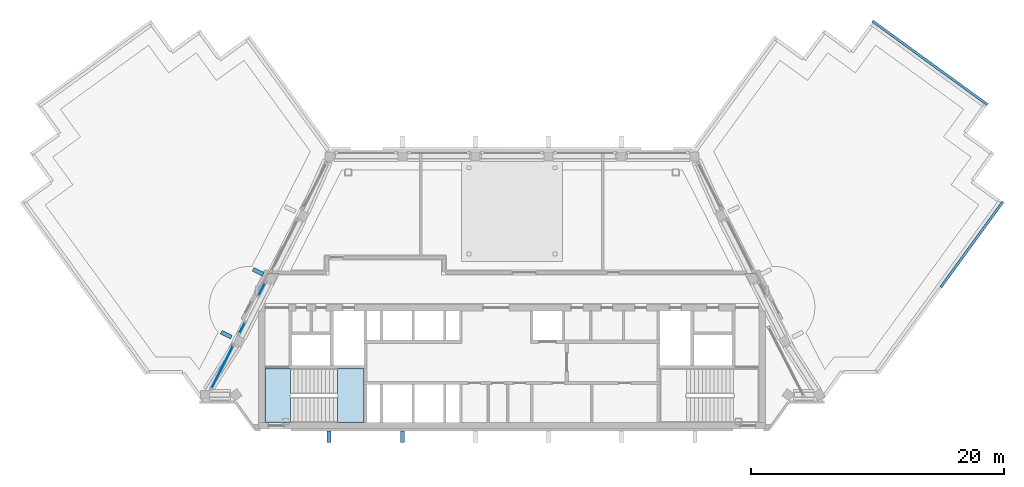
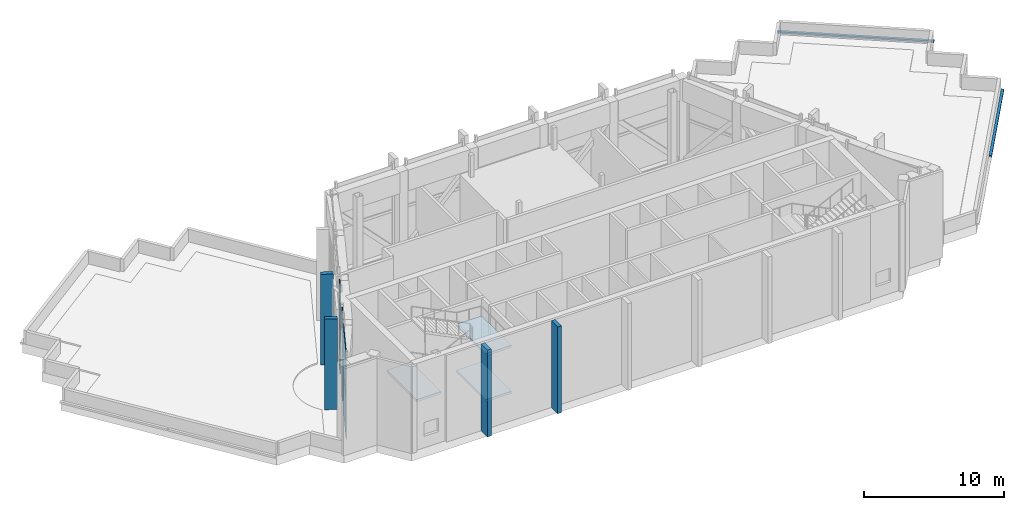
"""IFC4 building model written with IfcOpenShell, lengths in metres."""

from ifc_helpers import new_model, si_unit, direction, frame, origin, origin_2d, place, context, subcontext, project, spatial, polyline, rectangle, outline, extrude, material, layer, layer_set, material_profile, profile_set, type_object, element, aggregate, save


model = new_model("IFC4")

# Units and contexts
model_context = context("Model", 3, precision=1e-05, world=origin(), true_north=direction((0.0, 1.0)))
body_context = subcontext(model_context, "Body", "Model", "MODEL_VIEW")
ifc_project = project(units=[si_unit("LENGTHUNIT", "METRE"), si_unit("AREAUNIT", "SQUARE_METRE"), si_unit("VOLUMEUNIT", "CUBIC_METRE"), si_unit("PLANEANGLEUNIT", "RADIAN"), si_unit("MASSUNIT", "GRAM", prefix="KILO")], contexts=[model_context])

# Site, building, storey
site_placement = place(None, origin())
site = spatial("IfcSite", under=ifc_project, at=site_placement, CompositionType="ELEMENT")
building_placement = place(site_placement, origin())
building = spatial("IfcBuilding", under=site, at=building_placement, Name="Quipu Civic Tower", CompositionType="ELEMENT")
storey_1_placement = place(building_placement, frame((0.0, 0.0, 347.0)))
storey_1 = spatial("IfcBuildingStorey", under=building, at=storey_1_placement, Name="L81", CompositionType="ELEMENT", Elevation=347.0)

# Curtain wall
ifc_material_1 = material(Name="Insulated glass unit", Category="glass")
curtain_wall_type_1 = type_object("IfcCurtainWallType", Name="Office curtain wall CW1", PredefinedType="NOTDEFINED", material=ifc_material_1)
curtain_wall_1_placement = place(storey_1_placement, origin())
curtain_wall_1 = element("IfcCurtainWall", 1, at=curtain_wall_1_placement, inside=storey_1, type_object=curtain_wall_type_1, Name="Office curtain wall CW1 L80 run 21", PredefinedType="NOTDEFINED")

# Storey
storey_2_placement = place(building_placement, frame((0.0, 0.0, 355.0)))
storey_2 = spatial("IfcBuildingStorey", under=building, at=storey_2_placement, Name="L83", CompositionType="ELEMENT", Elevation=355.0)

# Member
ifc_material_2 = material(Name="Anodised aluminium", Category="aluminium")
ifc_material_profile = material_profile(ifc_material_2, rectangle(XDim=0.199951171875, YDim=0.159912109375, at=origin_2d()), Name="RECT 200x160")
ifc_profile_set = profile_set([ifc_material_profile], Name="Anodised aluminium")
member_type = type_object("IfcMemberType", Name="Transom CW1", PredefinedType="USERDEFINED", material=ifc_profile_set)
member_1_placement = place(storey_2_placement, frame((37.536865234375, 14.575927734375, 0.0), z_axis=(-0.809022463805, 0.587777724194, 0.0), x_axis=(-0.587777724194, -0.809022463805, 0.0)))
member_1 = element("IfcMember", 2, at=member_1_placement, inside=storey_2, type_object=member_type, Name="CW1 transom 1.4", ObjectType="TRANSOM", PredefinedType="USERDEFINED", context=body_context, shape_type="SweptSolid", body=[
    extrude(rectangle(XDim=0.199951171875, YDim=0.159912109375, at=origin_2d()), origin(), (0.0, 0.0, 1.0), 11.240234375),
])

aggregate(curtain_wall_1, [member_1])

# Storey
storey_3_placement = place(building_placement, frame((0.0, 0.0, 351.0)))
storey_3 = spatial("IfcBuildingStorey", under=building, at=storey_3_placement, Name="L82", CompositionType="ELEMENT", Elevation=351.0)

# Curtain wall, member
curtain_wall_2_placement = place(storey_3_placement, origin())
curtain_wall_2 = element("IfcCurtainWall", 3, at=curtain_wall_2_placement, inside=storey_3, type_object=curtain_wall_type_1, Name="Office curtain wall CW1 L81 run 4", PredefinedType="NOTDEFINED")
member_2_placement = place(storey_2_placement, frame((33.83642578125, 0.15966796875, 0.0), z_axis=(0.587779098815, 0.809021465102, 0.0), x_axis=(-0.809021465102, 0.587779098815, 0.0)))
member_2 = element("IfcMember", 4, at=member_2_placement, inside=storey_2, type_object=member_type, Name="CW1 transom 2.3", ObjectType="TRANSOM", PredefinedType="USERDEFINED", context=body_context, shape_type="SweptSolid", body=[
    extrude(rectangle(XDim=0.199951171875, YDim=0.159912109375, at=origin_2d()), origin(), (0.0, 0.0, 1.0), 8.35791015625),
])
aggregate(curtain_wall_2, [member_2])

# Curtain wall, plates
ifc_material_3 = material(Name="Insulated glass unit", Category="glass")
curtain_wall_type_2 = type_object("IfcCurtainWallType", Name="Damper hall glazing CW7", PredefinedType="NOTDEFINED", material=ifc_material_3)
curtain_wall_3_placement = place(storey_2_placement, origin())
curtain_wall_3 = element("IfcCurtainWall", 5, at=curtain_wall_3_placement, inside=storey_2, type_object=curtain_wall_type_2, Name="Damper hall glazing CW7 L83 run 1c", PredefinedType="NOTDEFINED")
ifc_material_4 = material(Name="Insulated glass unit", Category="glass")
ifc_layer_1 = layer(ifc_material_4, 0.052001953125)
ifc_layer_set_1 = layer_set([ifc_layer_1], Name="Insulated glass unit")
plate_type_1 = type_object("IfcPlateType", Name="Glass panel CW7", PredefinedType="CURTAIN_PANEL", material=ifc_layer_set_1)
plate_1_placement = place(storey_2_placement, frame((-19.75244140625, -0.0068359375, 0.330078125), z_axis=(0.0, 0.0, 1.0), x_axis=(-0.454002976789, -0.891000166704, 0.0)))
plate_1 = element("IfcPlate", 6, at=plate_1_placement, type_object=plate_type_1, Name="CW7 panel 1.1", PredefinedType="CURTAIN_PANEL", context=body_context, shape_type="SweptSolid", body=[
    extrude(rectangle(XDim=0.998291015625, YDim=0.052001953125, at=origin_2d()), origin(), (0.0, 0.0, 1.0), 3.56005859375),
])
plate_2_placement = place(storey_2_placement, frame((-19.75244140625, -0.0068359375, 4.10986328125), z_axis=(0.0, 0.0, 1.0), x_axis=(-0.454002976789, -0.891000166704, 0.0)))
plate_2 = element("IfcPlate", 7, at=plate_2_placement, type_object=plate_type_1, Name="CW7 panel 1.2", PredefinedType="CURTAIN_PANEL", context=body_context, shape_type="SweptSolid", body=[
    extrude(rectangle(XDim=0.998291015625, YDim=0.052001953125, at=origin_2d()), origin(), (0.0, 0.0, 1.0), 3.780029296875),
])
aggregate(curtain_wall_3, [plate_1, plate_2])

curtain_wall_4_placement = place(storey_2_placement, origin())
curtain_wall_4 = element("IfcCurtainWall", 8, at=curtain_wall_4_placement, inside=storey_2, type_object=curtain_wall_type_2, Name="Damper hall glazing CW7 L83 run 3a", PredefinedType="NOTDEFINED")
plate_3_placement = place(storey_2_placement, frame((-21.295654296875, -3.03662109375, 0.330078125), z_axis=(0.0, 0.0, 1.0), x_axis=(-0.453937021172, -0.891033770858, 0.0)))
plate_3 = element("IfcPlate", 9, at=plate_3_placement, type_object=plate_type_1, Name="CW7 panel 1.1", PredefinedType="CURTAIN_PANEL", context=body_context, shape_type="SweptSolid", body=[
    extrude(rectangle(XDim=0.839599609375, YDim=0.052001953125, at=origin_2d()), origin(), (0.0, 0.0, 1.0), 3.56005859375),
])
plate_4_placement = place(storey_2_placement, frame((-21.295654296875, -3.03662109375, 4.10986328125), z_axis=(0.0, 0.0, 1.0), x_axis=(-0.453937021172, -0.891033770858, 0.0)))
plate_4 = element("IfcPlate", 10, at=plate_4_placement, type_object=plate_type_1, Name="CW7 panel 1.2", PredefinedType="CURTAIN_PANEL", context=body_context, shape_type="SweptSolid", body=[
    extrude(rectangle(XDim=0.839599609375, YDim=0.052001953125, at=origin_2d()), origin(), (0.0, 0.0, 1.0), 3.780029296875),
])
aggregate(curtain_wall_4, [plate_3, plate_4])

ifc_material_5 = material(Name="Anodised aluminium insulated panel", Category="aluminium")
curtain_wall_type_3 = type_object("IfcCurtainWallType", Name="Insulated infill wall CW7I", PredefinedType="NOTDEFINED", material=ifc_material_5)
curtain_wall_5_placement = place(storey_2_placement, origin())
curtain_wall_5 = element("IfcCurtainWall", 11, at=curtain_wall_5_placement, inside=storey_2, type_object=curtain_wall_type_3, Name="Insulated infill wall CW7I L83 run 3b", PredefinedType="NOTDEFINED")
ifc_material_6 = material(Name="Anodised aluminium insulated panel", Category="aluminium")
ifc_layer_2 = layer(ifc_material_6, 0.052001953125)
ifc_layer_set_2 = layer_set([ifc_layer_2], Name="Anodised aluminium insulated panel")
plate_type_2 = type_object("IfcPlateType", Name="Insulated panel CW7I", PredefinedType="CURTAIN_PANEL", material=ifc_layer_set_2)
plate_5_placement = place(storey_2_placement, frame((-22.874755859375, -6.135986328125, 0.330078125), z_axis=(0.0, 0.0, 1.0), x_axis=(-0.453988393496, -0.89100759737, 0.0)))
plate_5 = element("IfcPlate", 12, at=plate_5_placement, type_object=plate_type_2, Name="CW7I panel 1.1", PredefinedType="CURTAIN_PANEL", context=body_context, shape_type="SweptSolid", body=[
    extrude(rectangle(XDim=3.635498046875, YDim=0.052001953125, at=origin_2d()), origin(), (0.0, 0.0, 1.0), 3.56005859375),
])
plate_6_placement = place(storey_2_placement, frame((-22.874755859375, -6.135986328125, 4.10986328125), z_axis=(0.0, 0.0, 1.0), x_axis=(-0.453988393496, -0.89100759737, 0.0)))
plate_6 = element("IfcPlate", 13, at=plate_6_placement, type_object=plate_type_2, Name="CW7I panel 1.2", PredefinedType="CURTAIN_PANEL", context=body_context, shape_type="SweptSolid", body=[
    extrude(rectangle(XDim=3.635498046875, YDim=0.052001953125, at=origin_2d()), origin(), (0.0, 0.0, 1.0), 3.780029296875),
])
aggregate(curtain_wall_5, [plate_5, plate_6])

# Plates
ifc_material_7 = material(Name="Precast concrete C40/50", Category="concrete")
plate_type_3 = type_object("IfcPlateType", Name="Precast fin F3", PredefinedType="SHEET", material=ifc_material_7)
for number, where, z_axis, x_axis, name in (
    (14, (-20.022705078125, 1.38720703125, 0.10986328125), (0.0, 0.0, 1.0), (-0.453990376607, -0.891006586928, 0.0), "Precast fin F3 L83.1.2"),
    (15, (-22.546875, -3.567138671875, 0.10986328125), (0.0, 0.0, 1.0), (-0.453990376607, -0.891006586928, 0.0), "Precast fin F3 L83.3.1"),
):
    element("IfcPlate", number, at=place(storey_2_placement, frame(where, z_axis=z_axis, x_axis=x_axis)), inside=storey_2, type_object=plate_type_3, Name=name, PredefinedType="SHEET", context=body_context, shape_type="SweptSolid", body=[
        extrude(rectangle(XDim=0.320068359375, YDim=0.89990234375, at=origin_2d()), origin(), (0.0, 0.0, 1.0), 7.889892578125),
    ])
for number, where, z_axis, x_axis, name in (
    (16, (-14.431884765625, -11.637939453125, 0.0), (0.0, 0.0, 1.0), (1.0, 0.0, 0.0), "Precast fin F3 L83.7.1"),
    (17, (-8.658935546875, -11.637939453125, 0.0), (0.0, 0.0, 1.0), (1.0, 0.0, 0.0), "Precast fin F3 L83.7.2"),
):
    element("IfcPlate", number, at=place(storey_2_placement, frame(where, z_axis=z_axis, x_axis=x_axis)), inside=storey_2, type_object=plate_type_3, Name=name, PredefinedType="SHEET", context=body_context, shape_type="SweptSolid", body=[
        extrude(rectangle(XDim=0.320068359375, YDim=0.89990234375, at=origin_2d()), origin(), (0.0, 0.0, 1.0), 7.550048828125),
    ])

# Stair, slabs
ifc_material_8 = material(Name="Concrete C40/50", Category="concrete")
stair_type = type_object("IfcStairType", Name="Half turn stair 2000", PredefinedType="HALF_TURN_STAIR", material=ifc_material_8)
stair_placement = place(storey_2_placement, origin())
stair = element("IfcStair", 18, at=stair_placement, inside=storey_2, type_object=stair_type, Name="Exit stair 1", PredefinedType="HALF_TURN_STAIR")
ifc_material_9 = material(Name="Concrete C40/50", Category="concrete")
ifc_layer_3 = layer(ifc_material_9, 0.199951171875)
ifc_layer_set_3 = layer_set([ifc_layer_3], Name="Concrete C40/50")
slab_type = type_object("IfcSlabType", Name="Stair landing 200", PredefinedType="LANDING", material=ifc_layer_set_3)
slab_1_placement = place(storey_2_placement, frame((0.0, 0.0, 1.800048828125)))
slab_1 = element("IfcSlab", 19, at=slab_1_placement, type_object=slab_type, Name="ST-1 landing 1", PredefinedType="LANDING", context=body_context, shape_type="SweptSolid", body=[
    extrude(outline(polyline([(-13.780029296875, -10.5), (-11.699951171875, -10.5), (-11.699951171875, -6.25), (-13.780029296875, -6.25), (-13.780029296875, -10.5)])), origin(), (0.0, 0.0, 1.0), 0.199951171875),
])
slab_2_placement = place(storey_2_placement, frame((0.0, 0.0, 3.800048828125)))
slab_2 = element("IfcSlab", 20, at=slab_2_placement, type_object=slab_type, Name="ST-1 landing 2", PredefinedType="LANDING", context=body_context, shape_type="SweptSolid", body=[
    extrude(outline(polyline([(-19.5, -10.5), (-17.5, -10.5), (-17.5, -6.25), (-19.5, -6.25), (-19.5, -10.5)])), origin(), (0.0, 0.0, 1.0), 0.199951171875),
])
slab_3_placement = place(storey_2_placement, frame((0.0, 0.0, 5.800048828125)))
slab_3 = element("IfcSlab", 21, at=slab_3_placement, type_object=slab_type, Name="ST-1 landing 3", PredefinedType="LANDING", context=body_context, shape_type="SweptSolid", body=[
    extrude(outline(polyline([(-13.780029296875, -10.5), (-11.699951171875, -10.5), (-11.699951171875, -6.25), (-13.780029296875, -6.25), (-13.780029296875, -10.5)])), origin(), (0.0, 0.0, 1.0), 0.199951171875),
])
aggregate(stair, [slab_1, slab_2, slab_3])

save(model, "model.ifc")
